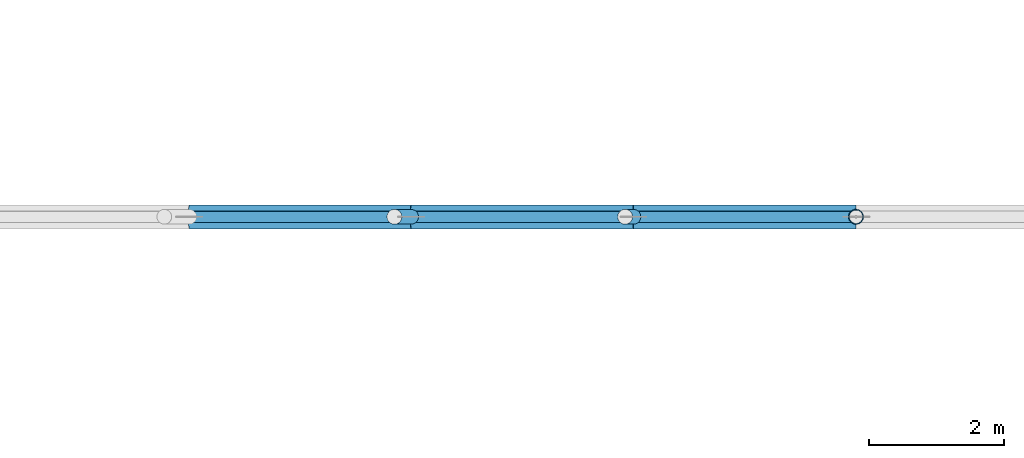
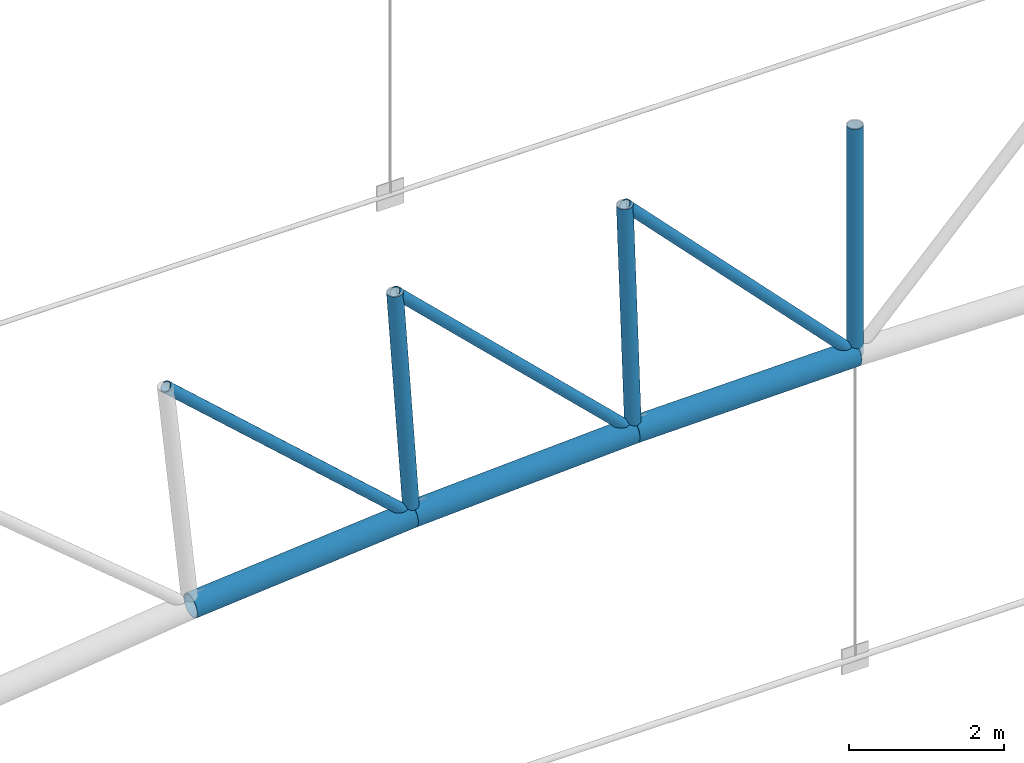
# One storey, part 63 of 321: 9 members.
"""IFC4 building model written with IfcOpenShell, lengths in metres."""

from ifc_helpers import new_model, si_unit, direction, frame, origin, origin_2d, place, context, subcontext, project, spatial, hollow_circle, extrude, material, material_profile, profile_set, type_object, element, save


model = new_model("IFC4")

# Units and contexts
model_context = context("Model", 3, precision=1e-05, world=origin(), true_north=direction((0.0, 1.0)))
body_context = subcontext(model_context, "Body", "Model", "MODEL_VIEW")
ifc_project = project(units=[si_unit("LENGTHUNIT", "METRE"), si_unit("AREAUNIT", "SQUARE_METRE"), si_unit("VOLUMEUNIT", "CUBIC_METRE"), si_unit("PLANEANGLEUNIT", "RADIAN"), si_unit("MASSUNIT", "GRAM", prefix="KILO")], contexts=[model_context])

# Site, building, storey
site_placement = place(None, origin())
site = spatial("IfcSite", under=ifc_project, at=site_placement, CompositionType="ELEMENT")
building_placement = place(site_placement, origin())
building = spatial("IfcBuilding", under=site, at=building_placement, Name="Ravi Spectrum Wholesale Market", CompositionType="ELEMENT")
storey_placement = place(building_placement, frame((0.0, 0.0, 10.800048828125)))
storey = spatial("IfcBuildingStorey", under=building, at=storey_placement, Name="L02", CompositionType="ELEMENT", Elevation=10.800048828125)

# Members
ifc_material_1 = material(Name="Steel S355", Category="steel")
ifc_material_profile_1 = material_profile(ifc_material_1, hollow_circle(Radius=0.084228515625, WallThickness=0.00634765625, at=origin_2d()))
ifc_profile_set_1 = profile_set([ifc_material_profile_1], Name="Steel S355")
member_type_1 = type_object("IfcMemberType", Name="CHS 168.3x6.3 brace", PredefinedType="BRACE", material=ifc_profile_set_1)
member_1_placement = place(storey_placement, frame((59.726806640625, 78.0, 7.867919921875), z_axis=(0.743626505142, 0.0, -0.668595259369), x_axis=(0.0, 1.0, 0.0)))
element("IfcMember", 1, at=member_1_placement, inside=storey, type_object=member_type_1, Name="H1-MB-L02-404", PredefinedType="BRACE", context=body_context, shape_type="SweptSolid", body=[
    extrude(hollow_circle(Radius=0.084228515625, WallThickness=0.00634765625, at=origin_2d()), origin(), (0.0, 0.0, 1.0), 4.9296875),
])
for number, where, z_axis, x_axis, name in (
    (2, (63.14453125, 78.0, 8.163330078125), (0.7201093859, 0.0, -0.69386055684), (0.0, 1.0, 0.0), "H1-MB-L02-405"),
    (3, (66.5703125, 78.0, 8.3408203125), (0.695749704847, 0.0, -0.718284308756), (0.0, 1.0, 0.0), "H1-MB-L02-406"),
):
    element("IfcMember", number, at=place(storey_placement, frame(where, z_axis=z_axis, x_axis=x_axis)), inside=storey, type_object=member_type_1, Name=name, PredefinedType="BRACE", context=body_context, shape_type="SweptSolid", body=[
        extrude(hollow_circle(Radius=0.084228515625, WallThickness=0.00634765625, at=origin_2d()), origin(), (0.0, 0.0, 1.0), 4.929443359375),
    ])
ifc_material_2 = material(Name="Steel S355", Category="steel")
ifc_material_profile_2 = material_profile(ifc_material_2, hollow_circle(Radius=0.109619140625, WallThickness=0.008056640625, at=origin_2d()))
ifc_profile_set_2 = profile_set([ifc_material_profile_2], Name="Steel S355")
member_type_2 = type_object("IfcMemberType", Name="CHS 219.1x8 post", PredefinedType="POST", material=ifc_profile_set_2)
member_2_placement = place(storey_placement, frame((63.14453125, 78.0, 8.163330078125), z_axis=(0.068904502548, 0.0, -0.997623260319), x_axis=(0.0, 1.0, 0.0)))
element("IfcMember", 4, at=member_2_placement, inside=storey, type_object=member_type_2, Name="H1-MB-L02-382", PredefinedType="POST", context=body_context, shape_type="SweptSolid", body=[
    extrude(hollow_circle(Radius=0.109619140625, WallThickness=0.008056640625, at=origin_2d()), origin(), (0.0, 0.0, 1.0), 3.599853515625),
])
member_3_placement = place(storey_placement, frame((66.5703125, 78.0, 8.3408203125), z_axis=(0.034450597287, 0.0, -0.999406401994), x_axis=(0.0, 1.0, 0.0)))
element("IfcMember", 5, at=member_3_placement, inside=storey, type_object=member_type_2, Name="H1-MB-L02-383", PredefinedType="POST", context=body_context, shape_type="SweptSolid", body=[
    extrude(hollow_circle(Radius=0.109619140625, WallThickness=0.008056640625, at=origin_2d()), origin(), (0.0, 0.0, 1.0), 3.60009765625),
])
member_4_placement = place(storey_placement, frame((70.0, 78.0, 8.39990234375), z_axis=(0.0, 0.0, -1.0), x_axis=(1.0, 0.0, 0.0)))
element("IfcMember", 6, at=member_4_placement, inside=storey, type_object=member_type_2, Name="H1-MB-L02-384", PredefinedType="POST", context=body_context, shape_type="SweptSolid", body=[
    extrude(hollow_circle(Radius=0.109619140625, WallThickness=0.008056640625, at=origin_2d()), origin(), (0.0, 0.0, 1.0), 3.599853515625),
])
ifc_material_3 = material(Name="Steel S355", Category="steel")
ifc_material_profile_3 = material_profile(ifc_material_3, hollow_circle(Radius=0.177734375, WallThickness=0.012451171875, at=origin_2d()))
ifc_profile_set_3 = profile_set([ifc_material_profile_3], Name="Steel S355")
member_type_3 = type_object("IfcMemberType", Name="CHS 355.6x12.5 chord", PredefinedType="CHORD", material=ifc_profile_set_3)
member_5_placement = place(storey_placement, frame((60.098876953125, 78.0, 4.287109375), z_axis=(0.99627955827, 0.0, 0.08618028645), x_axis=(0.0, 1.0, 0.0)))
element("IfcMember", 7, at=member_5_placement, inside=storey, type_object=member_type_3, Name="H1-MB-L02-358", PredefinedType="CHORD", context=body_context, shape_type="SweptSolid", body=[
    extrude(hollow_circle(Radius=0.177734375, WallThickness=0.012451171875, at=origin_2d()), origin(), (0.0, 0.0, 1.0), 3.305908203125),
])
for number, where, z_axis, x_axis, name in (
    (8, (63.392578125, 78.0, 4.572021484375), (0.99866314533, 0.0, 0.051690638992), (0.0, 1.0, 0.0), "H1-MB-L02-359"),
    (9, (66.6943359375, 78.0, 4.742919921875), (0.999850697486, 0.0, 0.017279546766), (0.0, 1.0, 0.0), "H1-MB-L02-360"),
):
    element("IfcMember", number, at=place(storey_placement, frame(where, z_axis=z_axis, x_axis=x_axis)), inside=storey, type_object=member_type_3, Name=name, PredefinedType="CHORD", context=body_context, shape_type="SweptSolid", body=[
        extrude(hollow_circle(Radius=0.177734375, WallThickness=0.012451171875, at=origin_2d()), origin(), (0.0, 0.0, 1.0), 3.30615234375),
    ])

save(model, "model.ifc")
